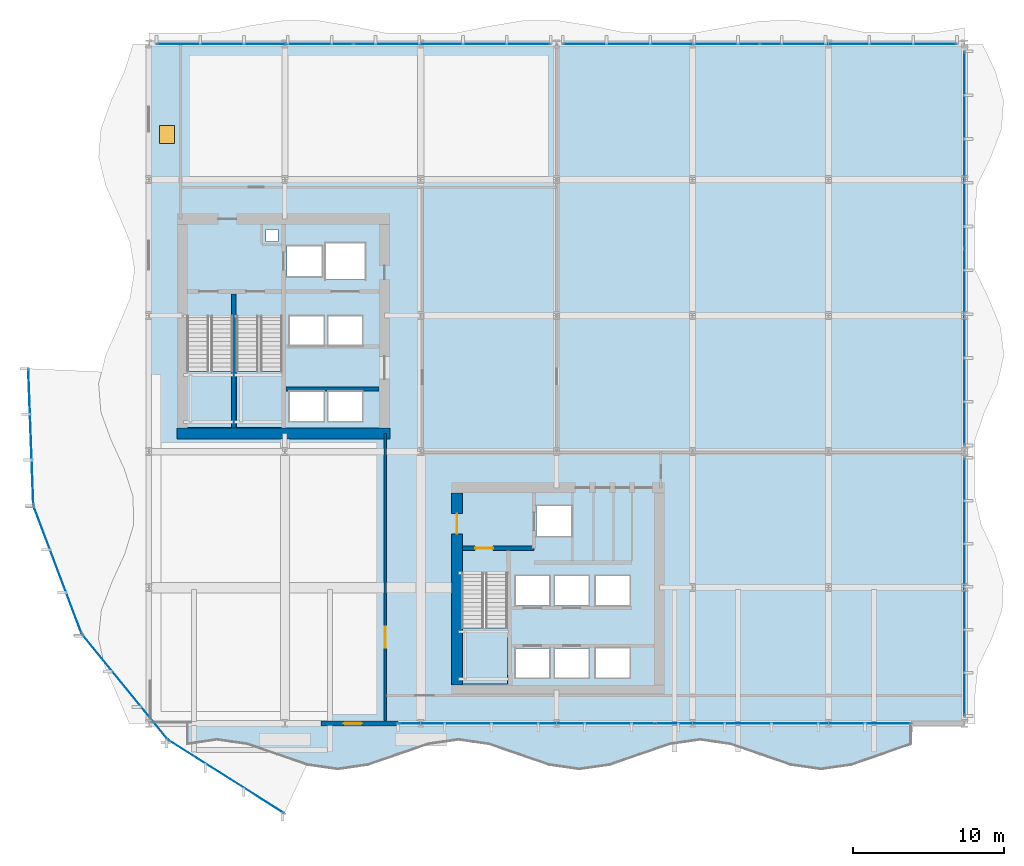
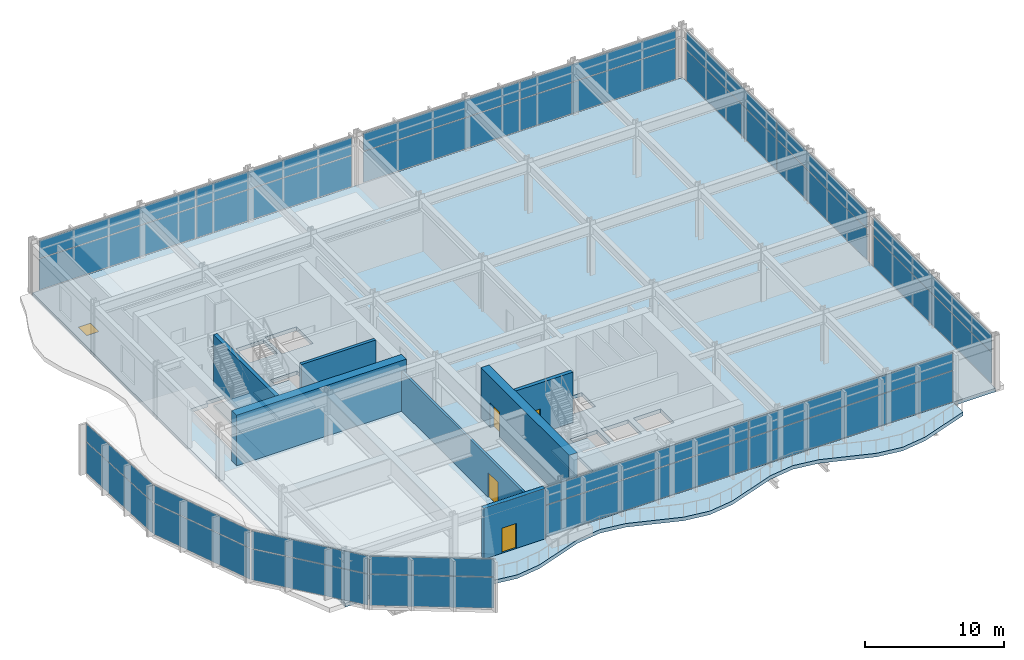
# One storey, part 21 of 31: 26 plates, 7 walls, 5 doors, 5 slabs, 5 openings, 12 elements without a shape of their own.
"""IFC4 building model written with IfcOpenShell, lengths in metres."""

from ifc_helpers import new_model, si_unit, direction, frame, frame_2d, origin, origin_2d, place, context, subcontext, project, spatial, polyline, rectangle, outline, extrude, material, layer, layer_set, type_object, element, fill, aggregate, save


model = new_model("IFC4")

# Units and contexts
model_context = context("Model", 3, precision=1e-05, world=origin(), true_north=direction((0.0, 1.0)))
body_context = subcontext(model_context, "Body", "Model", "MODEL_VIEW")
ifc_project = project(units=[si_unit("LENGTHUNIT", "METRE"), si_unit("AREAUNIT", "SQUARE_METRE"), si_unit("VOLUMEUNIT", "CUBIC_METRE"), si_unit("PLANEANGLEUNIT", "RADIAN"), si_unit("MASSUNIT", "GRAM", prefix="KILO")], contexts=[model_context])

# Site, building, storey
site_placement = place(None, origin())
site = spatial("IfcSite", under=ifc_project, at=site_placement, CompositionType="ELEMENT")
building_placement = place(site_placement, origin())
building = spatial("IfcBuilding", under=site, at=building_placement, Name="Solvaryn Broadcast Tower", CompositionType="ELEMENT")
storey_placement = place(building_placement, frame((0.0, 0.0, 26.0)))
storey = spatial("IfcBuildingStorey", under=building, at=storey_placement, Name="L05", CompositionType="ELEMENT", Elevation=26.0)

# Curtain wall, plates
ifc_material_1 = material(Name="Aluminium and Terracotta Unitised Curtain Wall", Category="masonry")
ifc_layer_1 = layer(ifc_material_1, 0.219970703125)
ifc_layer_set_1 = layer_set([ifc_layer_1], Name="CW-SYS1-PODIUM")
curtain_wall_type = type_object("IfcCurtainWallType", Name="CW-SYS1-PODIUM", PredefinedType="NOTDEFINED", material=ifc_layer_set_1)
curtain_wall_1_placement = place(storey_placement, origin())
curtain_wall_1 = element("IfcCurtainWall", 1, at=curtain_wall_1_placement, inside=storey, type_object=curtain_wall_type, Name="L05 Podium Curtain Wall S1", PredefinedType="NOTDEFINED")
ifc_material_2 = material(Name="Low-Iron Insulated Vision Glass", Category="glass")
ifc_layer_2 = layer(ifc_material_2, 0.035888671875)
ifc_layer_set_2 = layer_set([ifc_layer_2], Name="CW-PNL-VISION")
plate_type = type_object("IfcPlateType", Name="CW-PNL-VISION", PredefinedType="CURTAIN_PANEL", material=ifc_layer_set_2)
plate_1_placement = place(storey_placement, frame((50.985107421875, 9.0, 0.06005859375), z_axis=(0.0, 0.0, 1.0), x_axis=(-1.0, 0.0, 0.0)))
plate_1 = element("IfcPlate", 2, at=plate_1_placement, type_object=plate_type, Name="CWS1 panel 1.1", PredefinedType="CURTAIN_PANEL", context=body_context, shape_type="SweptSolid", body=[
    extrude(rectangle(XDim=16.909912109375, YDim=0.028076171875, at=origin_2d()), origin(), (0.0, 0.0, 1.0), 2.7099609375),
])
plate_2_placement = place(storey_placement, frame((50.985107421875, 9.0, 2.830078125), z_axis=(0.0, 0.0, 1.0), x_axis=(-1.0, 0.0, 0.0)))
plate_2 = element("IfcPlate", 3, at=plate_2_placement, type_object=plate_type, Name="CWS1 panel 1.2", PredefinedType="CURTAIN_PANEL", context=body_context, shape_type="SweptSolid", body=[
    extrude(rectangle(XDim=16.909912109375, YDim=0.028076171875, at=origin_2d()), origin(), (0.0, 0.0, 1.0), 1.550048828125),
])
plate_3_placement = place(storey_placement, frame((34.014892578125, 9.0, 0.06005859375), z_axis=(0.0, 0.0, 1.0), x_axis=(-1.0, 0.0, 0.0)))
plate_3 = element("IfcPlate", 4, at=plate_3_placement, type_object=plate_type, Name="CWS1 panel 2.1", PredefinedType="CURTAIN_PANEL", context=body_context, shape_type="SweptSolid", body=[
    extrude(rectangle(XDim=16.909912109375, YDim=0.028076171875, at=origin_2d()), origin(), (0.0, 0.0, 1.0), 2.7099609375),
])
plate_4_placement = place(storey_placement, frame((34.014892578125, 9.0, 2.830078125), z_axis=(0.0, 0.0, 1.0), x_axis=(-1.0, 0.0, 0.0)))
plate_4 = element("IfcPlate", 5, at=plate_4_placement, type_object=plate_type, Name="CWS1 panel 2.2", PredefinedType="CURTAIN_PANEL", context=body_context, shape_type="SweptSolid", body=[
    extrude(rectangle(XDim=16.909912109375, YDim=0.028076171875, at=origin_2d()), origin(), (0.0, 0.0, 1.0), 1.550048828125),
])
aggregate(curtain_wall_1, [plate_1, plate_2, plate_3, plate_4])

curtain_wall_2_placement = place(storey_placement, origin())
curtain_wall_2 = element("IfcCurtainWall", 6, at=curtain_wall_2_placement, inside=storey, type_object=curtain_wall_type, Name="L05 Podium Curtain Wall N1", PredefinedType="NOTDEFINED")
plate_5_placement = place(storey_placement, frame((16.0400390625, 54.0, 0.06005859375), z_axis=(0.0, 0.0, 1.0), x_axis=(1.0, 0.0, 0.0)))
plate_5 = element("IfcPlate", 7, at=plate_5_placement, type_object=plate_type, Name="CWS1 panel 1.1", PredefinedType="CURTAIN_PANEL", context=body_context, shape_type="SweptSolid", body=[
    extrude(rectangle(XDim=12.9599609375, YDim=0.028076171875, at=origin_2d()), origin(), (0.0, 0.0, 1.0), 2.7099609375),
])
plate_6_placement = place(storey_placement, frame((16.0400390625, 54.0, 2.830078125), z_axis=(0.0, 0.0, 1.0), x_axis=(1.0, 0.0, 0.0)))
plate_6 = element("IfcPlate", 8, at=plate_6_placement, type_object=plate_type, Name="CWS1 panel 1.2", PredefinedType="CURTAIN_PANEL", context=body_context, shape_type="SweptSolid", body=[
    extrude(rectangle(XDim=12.9599609375, YDim=0.028076171875, at=origin_2d()), origin(), (0.0, 0.0, 1.0), 1.550048828125),
])
plate_7_placement = place(storey_placement, frame((29.06005859375, 54.0, 0.06005859375), z_axis=(0.0, 0.0, 1.0), x_axis=(1.0, 0.0, 0.0)))
plate_7 = element("IfcPlate", 9, at=plate_7_placement, type_object=plate_type, Name="CWS1 panel 2.1", PredefinedType="CURTAIN_PANEL", context=body_context, shape_type="SweptSolid", body=[
    extrude(rectangle(XDim=12.9599609375, YDim=0.028076171875, at=origin_2d()), origin(), (0.0, 0.0, 1.0), 2.7099609375),
])
plate_8_placement = place(storey_placement, frame((29.06005859375, 54.0, 2.830078125), z_axis=(0.0, 0.0, 1.0), x_axis=(1.0, 0.0, 0.0)))
plate_8 = element("IfcPlate", 10, at=plate_8_placement, type_object=plate_type, Name="CWS1 panel 2.2", PredefinedType="CURTAIN_PANEL", context=body_context, shape_type="SweptSolid", body=[
    extrude(rectangle(XDim=12.9599609375, YDim=0.028076171875, at=origin_2d()), origin(), (0.0, 0.0, 1.0), 1.550048828125),
])
aggregate(curtain_wall_2, [plate_5, plate_6, plate_7, plate_8])

curtain_wall_3_placement = place(storey_placement, origin())
curtain_wall_3 = element("IfcCurtainWall", 11, at=curtain_wall_3_placement, inside=storey, type_object=curtain_wall_type, Name="L05 Podium Curtain Wall N2", PredefinedType="NOTDEFINED")
plate_9_placement = place(storey_placement, frame((42.93994140625, 54.0, 0.06005859375), z_axis=(0.0, 0.0, 1.0), x_axis=(1.0, 0.0, 0.0)))
plate_9 = element("IfcPlate", 12, at=plate_9_placement, type_object=plate_type, Name="CWS1 panel 1.1", PredefinedType="CURTAIN_PANEL", context=body_context, shape_type="SweptSolid", body=[
    extrude(rectangle(XDim=12.9599609375, YDim=0.028076171875, at=origin_2d()), origin(), (0.0, 0.0, 1.0), 2.7099609375),
])
plate_10_placement = place(storey_placement, frame((42.93994140625, 54.0, 2.830078125), z_axis=(0.0, 0.0, 1.0), x_axis=(1.0, 0.0, 0.0)))
plate_10 = element("IfcPlate", 13, at=plate_10_placement, type_object=plate_type, Name="CWS1 panel 1.2", PredefinedType="CURTAIN_PANEL", context=body_context, shape_type="SweptSolid", body=[
    extrude(rectangle(XDim=12.9599609375, YDim=0.028076171875, at=origin_2d()), origin(), (0.0, 0.0, 1.0), 1.550048828125),
])
plate_11_placement = place(storey_placement, frame((55.9599609375, 54.0, 0.06005859375), z_axis=(0.0, 0.0, 1.0), x_axis=(1.0, 0.0, 0.0)))
plate_11 = element("IfcPlate", 14, at=plate_11_placement, type_object=plate_type, Name="CWS1 panel 2.1", PredefinedType="CURTAIN_PANEL", context=body_context, shape_type="SweptSolid", body=[
    extrude(rectangle(XDim=12.9599609375, YDim=0.028076171875, at=origin_2d()), origin(), (0.0, 0.0, 1.0), 2.7099609375),
])
plate_12_placement = place(storey_placement, frame((55.9599609375, 54.0, 2.830078125), z_axis=(0.0, 0.0, 1.0), x_axis=(1.0, 0.0, 0.0)))
plate_12 = element("IfcPlate", 15, at=plate_12_placement, type_object=plate_type, Name="CWS1 panel 2.2", PredefinedType="CURTAIN_PANEL", context=body_context, shape_type="SweptSolid", body=[
    extrude(rectangle(XDim=12.9599609375, YDim=0.028076171875, at=origin_2d()), origin(), (0.0, 0.0, 1.0), 1.550048828125),
])
aggregate(curtain_wall_3, [plate_9, plate_10, plate_11, plate_12])

curtain_wall_4_placement = place(storey_placement, origin())
curtain_wall_4 = element("IfcCurtainWall", 16, at=curtain_wall_4_placement, inside=storey, type_object=curtain_wall_type, Name="L05 Podium Curtain Wall E1", PredefinedType="NOTDEFINED")
plate_13_placement = place(storey_placement, frame((63.0, 46.9599609375, 0.06005859375), z_axis=(0.0, 0.0, 1.0), x_axis=(0.0, -1.0, 0.0)))
plate_13 = element("IfcPlate", 17, at=plate_13_placement, type_object=plate_type, Name="CWS1 panel 1.1", PredefinedType="CURTAIN_PANEL", context=body_context, shape_type="SweptSolid", body=[
    extrude(rectangle(XDim=12.9599609375, YDim=0.028076171875, at=origin_2d()), origin(), (0.0, 0.0, 1.0), 2.7099609375),
])
plate_14_placement = place(storey_placement, frame((63.0, 46.9599609375, 2.830078125), z_axis=(0.0, 0.0, 1.0), x_axis=(0.0, -1.0, 0.0)))
plate_14 = element("IfcPlate", 18, at=plate_14_placement, type_object=plate_type, Name="CWS1 panel 1.2", PredefinedType="CURTAIN_PANEL", context=body_context, shape_type="SweptSolid", body=[
    extrude(rectangle(XDim=12.9599609375, YDim=0.028076171875, at=origin_2d()), origin(), (0.0, 0.0, 1.0), 1.550048828125),
])
plate_15_placement = place(storey_placement, frame((63.0, 33.93994140625, 0.06005859375), z_axis=(0.0, 0.0, 1.0), x_axis=(0.0, -1.0, 0.0)))
plate_15 = element("IfcPlate", 19, at=plate_15_placement, type_object=plate_type, Name="CWS1 panel 2.1", PredefinedType="CURTAIN_PANEL", context=body_context, shape_type="SweptSolid", body=[
    extrude(rectangle(XDim=12.9599609375, YDim=0.028076171875, at=origin_2d()), origin(), (0.0, 0.0, 1.0), 2.7099609375),
])
plate_16_placement = place(storey_placement, frame((63.0, 33.93994140625, 2.830078125), z_axis=(0.0, 0.0, 1.0), x_axis=(0.0, -1.0, 0.0)))
plate_16 = element("IfcPlate", 20, at=plate_16_placement, type_object=plate_type, Name="CWS1 panel 2.2", PredefinedType="CURTAIN_PANEL", context=body_context, shape_type="SweptSolid", body=[
    extrude(rectangle(XDim=12.9599609375, YDim=0.028076171875, at=origin_2d()), origin(), (0.0, 0.0, 1.0), 1.550048828125),
])
aggregate(curtain_wall_4, [plate_13, plate_14, plate_15, plate_16])

curtain_wall_5_placement = place(storey_placement, origin())
curtain_wall_5 = element("IfcCurtainWall", 21, at=curtain_wall_5_placement, inside=storey, type_object=curtain_wall_type, Name="L05 Podium Curtain Wall E2", PredefinedType="NOTDEFINED")
plate_17_placement = place(storey_placement, frame((63.0, 18.050048828125, 0.06005859375), z_axis=(0.0, 0.0, 1.0), x_axis=(0.0, -1.0, 0.0)))
plate_17 = element("IfcPlate", 22, at=plate_17_placement, type_object=plate_type, Name="CWS1 panel 1.1", PredefinedType="CURTAIN_PANEL", context=body_context, shape_type="SweptSolid", body=[
    extrude(rectangle(XDim=16.97998046875, YDim=0.028076171875, at=origin_2d()), origin(), (0.0, 0.0, 1.0), 2.7099609375),
])
plate_18_placement = place(storey_placement, frame((63.0, 18.050048828125, 2.830078125), z_axis=(0.0, 0.0, 1.0), x_axis=(0.0, -1.0, 0.0)))
plate_18 = element("IfcPlate", 23, at=plate_18_placement, type_object=plate_type, Name="CWS1 panel 1.2", PredefinedType="CURTAIN_PANEL", context=body_context, shape_type="SweptSolid", body=[
    extrude(rectangle(XDim=16.97998046875, YDim=0.028076171875, at=origin_2d()), origin(), (0.0, 0.0, 1.0), 1.550048828125),
])
aggregate(curtain_wall_5, [plate_17, plate_18])

curtain_wall_6_placement = place(storey_placement, origin())
curtain_wall_6 = element("IfcCurtainWall", 24, at=curtain_wall_6_placement, inside=storey, type_object=curtain_wall_type, Name="L05 Podium Curtain Wall DC1", PredefinedType="NOTDEFINED")
plate_19_placement = place(storey_placement, frame((1.18701171875, 27.9619140625, 0.06005859375), z_axis=(0.0, 0.0, 1.0), x_axis=(0.037231663524, -0.999306661256, 0.0)))
plate_19 = element("IfcPlate", 25, at=plate_19_placement, type_object=plate_type, Name="CWS1 panel 1.1", PredefinedType="CURTAIN_PANEL", context=body_context, shape_type="SweptSolid", body=[
    extrude(rectangle(XDim=8.958251953125, YDim=0.028076171875, at=origin_2d()), origin(), (0.0, 0.0, 1.0), 2.7099609375),
])
plate_20_placement = place(storey_placement, frame((1.18701171875, 27.9619140625, 2.830078125), z_axis=(0.0, 0.0, 1.0), x_axis=(0.037231663524, -0.999306661256, 0.0)))
plate_20 = element("IfcPlate", 26, at=plate_20_placement, type_object=plate_type, Name="CWS1 panel 1.2", PredefinedType="CURTAIN_PANEL", context=body_context, shape_type="SweptSolid", body=[
    extrude(rectangle(XDim=8.958251953125, YDim=0.028076171875, at=origin_2d()), origin(), (0.0, 0.0, 1.0), 1.550048828125),
])
aggregate(curtain_wall_6, [plate_19, plate_20])

curtain_wall_7_placement = place(storey_placement, origin())
curtain_wall_7 = element("IfcCurtainWall", 27, at=curtain_wall_7_placement, inside=storey, type_object=curtain_wall_type, Name="L05 Podium Curtain Wall DC2", PredefinedType="NOTDEFINED")
plate_21_placement = place(storey_placement, frame((2.9580078125, 19.178955078125, 0.06005859375), z_axis=(0.0, 0.0, 1.0), x_axis=(0.352933536301, -0.93564839494, 0.0)))
plate_21 = element("IfcPlate", 28, at=plate_21_placement, type_object=plate_type, Name="CWS1 panel 1.1", PredefinedType="CURTAIN_PANEL", context=body_context, shape_type="SweptSolid", body=[
    extrude(rectangle(XDim=8.958251953125, YDim=0.028076171875, at=origin_2d()), origin(), (0.0, 0.0, 1.0), 2.7099609375),
])
plate_22_placement = place(storey_placement, frame((2.9580078125, 19.178955078125, 2.830078125), z_axis=(0.0, 0.0, 1.0), x_axis=(0.352933536301, -0.93564839494, 0.0)))
plate_22 = element("IfcPlate", 29, at=plate_22_placement, type_object=plate_type, Name="CWS1 panel 1.2", PredefinedType="CURTAIN_PANEL", context=body_context, shape_type="SweptSolid", body=[
    extrude(rectangle(XDim=8.958251953125, YDim=0.028076171875, at=origin_2d()), origin(), (0.0, 0.0, 1.0), 1.550048828125),
])
aggregate(curtain_wall_7, [plate_21, plate_22])

curtain_wall_8_placement = place(storey_placement, origin())
curtain_wall_8 = element("IfcCurtainWall", 30, at=curtain_wall_8_placement, inside=storey, type_object=curtain_wall_type, Name="L05 Podium Curtain Wall DC3", PredefinedType="NOTDEFINED")
plate_23_placement = place(storey_placement, frame((7.427978515625, 11.4140625, 0.06005859375), z_axis=(0.0, 0.0, 1.0), x_axis=(0.631869091156, -0.77507512645, 0.0)))
plate_23 = element("IfcPlate", 31, at=plate_23_placement, type_object=plate_type, Name="CWS1 panel 1.1", PredefinedType="CURTAIN_PANEL", context=body_context, shape_type="SweptSolid", body=[
    extrude(rectangle(XDim=8.957763671875, YDim=0.028076171875, at=origin_2d()), origin(), (0.0, 0.0, 1.0), 2.7099609375),
])
plate_24_placement = place(storey_placement, frame((7.427978515625, 11.4140625, 2.830078125), z_axis=(0.0, 0.0, 1.0), x_axis=(0.631869091156, -0.77507512645, 0.0)))
plate_24 = element("IfcPlate", 32, at=plate_24_placement, type_object=plate_type, Name="CWS1 panel 1.2", PredefinedType="CURTAIN_PANEL", context=body_context, shape_type="SweptSolid", body=[
    extrude(rectangle(XDim=8.957763671875, YDim=0.028076171875, at=origin_2d()), origin(), (0.0, 0.0, 1.0), 1.550048828125),
])
aggregate(curtain_wall_8, [plate_23, plate_24])

curtain_wall_9_placement = place(storey_placement, origin())
curtain_wall_9 = element("IfcCurtainWall", 33, at=curtain_wall_9_placement, inside=storey, type_object=curtain_wall_type, Name="L05 Podium Curtain Wall DC4", PredefinedType="NOTDEFINED")
plate_25_placement = place(storey_placement, frame((14.133056640625, 5.471435546875, 0.06005859375), z_axis=(0.0, 0.0, 1.0), x_axis=(0.845376323595, -0.534171200558, 0.0)))
plate_25 = element("IfcPlate", 34, at=plate_25_placement, type_object=plate_type, Name="CWS1 panel 1.1", PredefinedType="CURTAIN_PANEL", context=body_context, shape_type="SweptSolid", body=[
    extrude(rectangle(XDim=8.95751953125, YDim=0.028076171875, at=origin_2d()), origin(), (0.0, 0.0, 1.0), 2.7099609375),
])
plate_26_placement = place(storey_placement, frame((14.133056640625, 5.471435546875, 2.830078125), z_axis=(0.0, 0.0, 1.0), x_axis=(0.845376323595, -0.534171200558, 0.0)))
plate_26 = element("IfcPlate", 35, at=plate_26_placement, type_object=plate_type, Name="CWS1 panel 1.2", PredefinedType="CURTAIN_PANEL", context=body_context, shape_type="SweptSolid", body=[
    extrude(rectangle(XDim=8.95751953125, YDim=0.028076171875, at=origin_2d()), origin(), (0.0, 0.0, 1.0), 1.550048828125),
])
aggregate(curtain_wall_9, [plate_25, plate_26])

# Stair, slab
ifc_material_3 = material(Name="Concrete f'c 60 MPa", Category="concrete")
stair_type = type_object("IfcStairType", Name="ST-CORE", PredefinedType="HALF_TURN_STAIR", material=ifc_material_3)
stair_1_placement = place(storey_placement, origin())
stair_1 = element("IfcStair", 36, at=stair_1_placement, inside=storey, type_object=stair_type, Name="L05 ST1", PredefinedType="HALF_TURN_STAIR")
ifc_material_4 = material(Name="Concrete f'c 60 MPa", Category="concrete")
ifc_layer_3 = layer(ifc_material_4, 0.199951171875)
ifc_layer_set_3 = layer_set([ifc_layer_3], Name="SL-LANDING-200")
slab_type_1 = type_object("IfcSlabType", Name="SL-LANDING-200", PredefinedType="LANDING", material=ifc_layer_set_3)
slab_1_placement = place(storey_placement, frame((0.0, 0.0, 2.199951171875)))
slab_1 = element("IfcSlab", 37, at=slab_1_placement, type_object=slab_type_1, Name="ST1 landing 1", PredefinedType="LANDING", context=body_context, shape_type="SweptSolid", body=[
    extrude(outline(polyline([(11.52001953125, 32.320068359375), (11.52001953125, 28.60009765625), (14.550048828125, 28.60009765625), (14.550048828125, 32.320068359375), (11.52001953125, 32.320068359375)])), origin(), (0.0, 0.0, 1.0), 0.199951171875),
])
aggregate(stair_1, [slab_1])

stair_2_placement = place(storey_placement, origin())
stair_2 = element("IfcStair", 38, at=stair_2_placement, inside=storey, type_object=stair_type, Name="L05 ST2", PredefinedType="HALF_TURN_STAIR")
slab_2_placement = place(storey_placement, frame((0.0, 0.0, 2.199951171875)))
slab_2 = element("IfcSlab", 39, at=slab_2_placement, type_object=slab_type_1, Name="ST2 landing 1", PredefinedType="LANDING", context=body_context, shape_type="SweptSolid", body=[
    extrude(outline(polyline([(14.800048828125, 32.320068359375), (14.800048828125, 28.60009765625), (17.830078125, 28.60009765625), (17.830078125, 32.320068359375), (14.800048828125, 32.320068359375)])), origin(), (0.0, 0.0, 1.0), 0.199951171875),
])
aggregate(stair_2, [slab_2])

stair_3_placement = place(storey_placement, origin())
stair_3 = element("IfcStair", 40, at=stair_3_placement, inside=storey, type_object=stair_type, Name="L05 ST3", PredefinedType="HALF_TURN_STAIR")
slab_3_placement = place(storey_placement, frame((0.0, 0.0, 2.199951171875)))
slab_3 = element("IfcSlab", 41, at=slab_3_placement, type_object=slab_type_1, Name="ST3 landing 1", PredefinedType="LANDING", context=body_context, shape_type="SweptSolid", body=[
    extrude(outline(polyline([(29.719970703125, 15.320068359375), (29.719970703125, 11.60009765625), (32.75, 11.60009765625), (32.75, 15.320068359375), (29.719970703125, 15.320068359375)])), origin(), (0.0, 0.0, 1.0), 0.199951171875),
])
aggregate(stair_3, [slab_3])

# Slab, opening, door
ifc_material_5 = material(Name="Concrete f'c 60 MPa", Category="concrete")
ifc_layer_4 = layer(ifc_material_5, 0.320068359375)
ifc_layer_set_4 = layer_set([ifc_layer_4], Name="SL-POD-320")
slab_type_2 = type_object("IfcSlabType", Name="SL-POD-320", PredefinedType="FLOOR", material=ifc_layer_set_4)
slab_4_placement = place(storey_placement, frame((0.0, 0.0, -0.320068359375)))
slab_4 = element("IfcSlab", 42, at=slab_4_placement, inside=storey, type_object=slab_type_2, Name="L05 Structural Floor Slab", PredefinedType="FLOOR", context=body_context, shape_type="SweptSolid", body=[
    extrude(outline(polyline([(9.0, 9.0), (63.0, 9.0), (63.0, 54.0), (9.0, 54.0), (9.0, 9.0)]), holes=[polyline([(11.52001953125, 28.60009765625), (14.550048828125, 28.60009765625), (14.550048828125, 35.9599609375), (12.97998046875, 35.9599609375), (12.97998046875, 35.679931640625), (11.52001953125, 35.679931640625), (11.52001953125, 28.60009765625)]), polyline([(14.800048828125, 28.60009765625), (17.830078125, 28.60009765625), (17.830078125, 35.9599609375), (16.260009765625, 35.9599609375), (16.260009765625, 35.679931640625), (14.800048828125, 35.679931640625), (14.800048828125, 28.60009765625)]), polyline([(29.719970703125, 11.60009765625), (32.75, 11.60009765625), (32.75, 18.9599609375), (31.179931640625, 18.9599609375), (31.179931640625, 18.679931640625), (29.719970703125, 18.679931640625), (29.719970703125, 11.60009765625)]), polyline([(18.14990234375, 38.60009765625), (20.449951171875, 38.60009765625), (20.449951171875, 40.60009765625), (18.14990234375, 40.60009765625), (18.14990234375, 38.60009765625)]), polyline([(20.699951171875, 38.39990234375), (23.300048828125, 38.39990234375), (23.300048828125, 40.800048828125), (20.699951171875, 40.800048828125), (20.699951171875, 38.39990234375)]), polyline([(18.324951171875, 29.02490234375), (20.574951171875, 29.02490234375), (20.574951171875, 30.97509765625), (18.324951171875, 30.97509765625), (18.324951171875, 29.02490234375)]), polyline([(20.875, 29.02490234375), (23.125, 29.02490234375), (23.125, 30.97509765625), (20.875, 30.97509765625), (20.875, 29.02490234375)]), polyline([(18.324951171875, 34.02490234375), (20.574951171875, 34.02490234375), (20.574951171875, 35.97509765625), (18.324951171875, 35.97509765625), (18.324951171875, 34.02490234375)]), polyline([(20.875, 34.02490234375), (23.125, 34.02490234375), (23.125, 35.97509765625), (20.875, 35.97509765625), (20.875, 34.02490234375)]), polyline([(34.64990234375, 21.39990234375), (36.949951171875, 21.39990234375), (36.949951171875, 23.39990234375), (34.64990234375, 23.39990234375), (34.64990234375, 21.39990234375)]), polyline([(33.27490234375, 12.02490234375), (35.52490234375, 12.02490234375), (35.52490234375, 13.97509765625), (33.27490234375, 13.97509765625), (33.27490234375, 12.02490234375)]), polyline([(35.875, 12.02490234375), (38.125, 12.02490234375), (38.125, 13.97509765625), (35.875, 13.97509765625), (35.875, 12.02490234375)]), polyline([(33.27490234375, 16.824951171875), (35.52490234375, 16.824951171875), (35.52490234375, 18.77490234375), (33.27490234375, 18.77490234375), (33.27490234375, 16.824951171875)]), polyline([(35.875, 16.824951171875), (38.125, 16.824951171875), (38.125, 18.77490234375), (35.875, 18.77490234375), (35.875, 16.824951171875)]), polyline([(38.574951171875, 12.02490234375), (40.824951171875, 12.02490234375), (40.824951171875, 13.97509765625), (38.574951171875, 13.97509765625), (38.574951171875, 12.02490234375)]), polyline([(38.574951171875, 16.824951171875), (40.824951171875, 16.824951171875), (40.824951171875, 18.77490234375), (38.574951171875, 18.77490234375), (38.574951171875, 16.824951171875)]), polyline([(16.75, 40.89990234375), (17.550048828125, 40.89990234375), (17.550048828125, 41.699951171875), (16.75, 41.699951171875), (16.75, 40.89990234375)])]), origin(), (0.0, 0.0, 1.0), 0.320068359375),
])
opening_1_placement = place(slab_4_placement, frame((10.199951171875, 48.0, 0.0)))
opening_1 = element("IfcOpeningElement", 43, at=opening_1_placement, cuts=slab_4, Name="Opening HT01", PredefinedType="OPENING", context=body_context, shape_type="SweptSolid", body=[
    extrude(rectangle(XDim=1.0, YDim=1.199951171875, at=origin_2d()), origin(), (0.0, 0.0, 1.0), 0.320068359375),
])
ifc_material_6 = material(Name="Insulated Architectural Aluminium and Glazing", Category="aluminium")
door_type_1 = type_object("IfcDoorType", Name="ED-HATCH-1000X1200", OperationType="NOTDEFINED", PredefinedType="TRAPDOOR", material=ifc_material_6)
door_1_placement = place(opening_1_placement, frame((0.0, 0.0, 0.27001953125)))
door_1 = element("IfcDoor", 44, at=door_1_placement, inside=storey, type_object=door_type_1, Name="L05 Acoustic Plenum Access Trapdoor", OperationType="SINGLE_SWING_LEFT", OverallHeight=1.199951171875, OverallWidth=1.0, PredefinedType="TRAPDOOR", context=body_context, shape_type="SweptSolid", body=[
    extrude(rectangle(XDim=1.0, YDim=1.199951171875, at=origin_2d()), origin(), (0.0, 0.0, 1.0), 0.050048828125),
])
fill(opening_1, door_1)

# Slab
ifc_material_7 = material(Name="Concrete f'c 60 MPa", Category="concrete")
ifc_layer_5 = layer(ifc_material_7, 0.260009765625)
ifc_layer_set_5 = layer_set([ifc_layer_5], Name="SL-TER-260")
slab_type_3 = type_object("IfcSlabType", Name="SL-TER-260", PredefinedType="FLOOR", material=ifc_layer_set_5)
slab_5_placement = place(storey_placement, frame((0.0, 0.0, -0.320068359375)))
element("IfcSlab", 45, at=slab_5_placement, inside=storey, type_object=slab_type_3, Name="L05 Wave-Edged Terrace Slab TS05S", PredefinedType="FLOOR", context=body_context, shape_type="SweptSolid", body=[
    extrude(outline(polyline([(11.5, 7.589111328125), (13.5, 7.875), (15.5, 7.589111328125), (17.5, 6.89990234375), (19.5, 6.2109375), (21.5, 5.925048828125), (23.5, 6.2109375), (25.5, 6.89990234375), (27.5, 7.589111328125), (29.5, 7.875), (31.5, 7.589111328125), (33.5, 6.89990234375), (35.5, 6.2109375), (37.5, 5.925048828125), (39.5, 6.2109375), (41.5, 6.89990234375), (43.5, 7.589111328125), (45.5, 7.875), (47.5, 7.589111328125), (49.5, 6.89990234375), (51.5, 6.2109375), (53.5, 5.925048828125), (55.5, 6.2109375), (57.5, 6.89990234375), (59.5, 7.589111328125), (59.5, 9.0), (57.5, 9.0), (55.5, 9.0), (53.5, 9.0), (51.5, 9.0), (49.5, 9.0), (47.5, 9.0), (45.5, 9.0), (43.5, 9.0), (41.5, 9.0), (39.5, 9.0), (37.5, 9.0), (35.5, 9.0), (33.5, 9.0), (31.5, 9.0), (29.5, 9.0), (27.5, 9.0), (25.5, 9.0), (23.5, 9.0), (21.5, 9.0), (19.5, 9.0), (17.5, 9.0), (15.5, 9.0), (13.5, 9.0), (11.5, 9.0), (11.5, 7.589111328125)])), origin(), (0.0, 0.0, 1.0), 0.320068359375),
])

# Wall
ifc_material_8 = material(Name="Concrete f'c 70 MPa", Category="concrete")
ifc_layer_6 = layer(ifc_material_8, 0.699951171875)
ifc_layer_set_6 = layer_set([ifc_layer_6], Name="CW-SHEAR-700")
wall_type_1 = type_object("IfcWallType", Name="CW-SHEAR-700", PredefinedType="SHEAR", material=ifc_layer_set_6)
wall_1_placement = place(storey_placement, frame((10.85009765625, 28.199951171875, 0.0), z_axis=(0.0, 0.0, 1.0), x_axis=(1.0, 0.0, 0.0)))
element("IfcWall", 46, at=wall_1_placement, inside=storey, type_object=wall_type_1, Name="L05 West Core South Shear Wall", PredefinedType="SHEAR", context=body_context, shape_type="SweptSolid", body=[
    extrude(rectangle(XDim=14.099853515625, YDim=0.699951171875, at=frame_2d((7.0498046875, 0.0))), origin(), (0.0, 0.0, 1.0), 4.43994140625),
])

# Wall, opening, door
wall_2_placement = place(storey_placement, frame((29.39990234375, 24.25, 0.0), z_axis=(0.0, 0.0, 1.0), x_axis=(0.0, -1.0, 0.0)))
wall_2 = element("IfcWall", 47, at=wall_2_placement, inside=storey, type_object=wall_type_1, Name="L05 East Core West Shear Wall", PredefinedType="SHEAR", context=body_context, shape_type="SweptSolid", body=[
    extrude(rectangle(XDim=12.699951171875, YDim=0.699951171875, at=frame_2d((6.35009765625, 0.0))), origin(), (0.0, 0.0, 1.0), 4.43994140625),
])
opening_2_placement = place(wall_2_placement, frame((1.35009765625, 0.0, 0.0)))
opening_2 = element("IfcOpeningElement", 48, at=opening_2_placement, cuts=wall_2, Name="Opening FD90B", PredefinedType="OPENING", context=body_context, shape_type="SweptSolid", body=[
    extrude(rectangle(XDim=1.35009765625, YDim=2.14990234375, at=frame_2d((0.675048828125, 1.074951171875))), frame((0.0, 0.360107421875, 0.0), z_axis=(0.0, -1.0, 0.0), x_axis=(1.0, 0.0, 0.0)), (0.0, 0.0, 1.0), 0.719970703125),
])
ifc_material_9 = material(Name="Flush Acoustic Steel and Timber Door Assembly", Category="steel")
door_type_2 = type_object("IfcDoorType", Name="FD90-LOBBY-1350X2150", OperationType="NOTDEFINED", PredefinedType="DOOR", material=ifc_material_9)
door_2_placement = place(opening_2_placement, origin())
door_2 = element("IfcDoor", 49, at=door_2_placement, inside=storey, type_object=door_type_2, Name="L05 East FSAE Lobby Door", OperationType="SINGLE_SWING_RIGHT", OverallHeight=2.14990234375, OverallWidth=1.35009765625, PredefinedType="DOOR", context=body_context, shape_type="SweptSolid", body=[
    extrude(rectangle(XDim=1.35009765625, YDim=2.14990234375, at=frame_2d((0.675048828125, 1.074951171875))), frame((0.0, 0.02490234375, 0.0), z_axis=(0.0, -1.0, 0.0), x_axis=(1.0, 0.0, 0.0)), (0.0, 0.0, 1.0), 0.050048828125),
])
fill(opening_2, door_2)

ifc_material_10 = material(Name="Concrete f'c 50 MPa", Category="concrete")
ifc_layer_7 = layer(ifc_material_10, 0.35009765625)
ifc_layer_set_7 = layer_set([ifc_layer_7], Name="EW-STUDIO-350")
wall_type_2 = type_object("IfcWallType", Name="EW-STUDIO-350", PredefinedType="SOLIDWALL", material=ifc_layer_set_7)
wall_3_placement = place(storey_placement, frame((25.5, 9.0, 0.0), z_axis=(0.0, 0.0, 1.0), x_axis=(-1.0, 0.0, 0.0)))
wall_3 = element("IfcWall", 50, at=wall_3_placement, inside=storey, type_object=wall_type_2, Name="L05 Podium South Studio Pier Wall", PredefinedType="SOLIDWALL", context=body_context, shape_type="SweptSolid", body=[
    extrude(rectangle(XDim=5.10009765625, YDim=0.35009765625, at=frame_2d((2.550048828125, 0.0))), origin(), (0.0, 0.0, 1.0), 4.43994140625),
])
opening_3_placement = place(wall_3_placement, frame((2.39990234375, 0.0, 0.0)))
opening_3 = element("IfcOpeningElement", 51, at=opening_3_placement, cuts=wall_3, Name="Opening EDT05", PredefinedType="OPENING", context=body_context, shape_type="SweptSolid", body=[
    extrude(rectangle(XDim=1.199951171875, YDim=2.199951171875, at=frame_2d((0.60009765625, 1.10009765625))), frame((0.0, 0.18505859375, 0.0), z_axis=(0.0, -1.0, 0.0), x_axis=(1.0, 0.0, 0.0)), (0.0, 0.0, 1.0), 0.3701171875),
])
ifc_material_11 = material(Name="Insulated Architectural Aluminium and Glazing", Category="aluminium")
door_type_3 = type_object("IfcDoorType", Name="ED-TER-1200X2200", OperationType="NOTDEFINED", PredefinedType="DOOR", material=ifc_material_11)
door_3_placement = place(opening_3_placement, origin())
door_3 = element("IfcDoor", 52, at=door_3_placement, inside=storey, type_object=door_type_3, Name="L05 South Cascading Terrace Door", OperationType="SINGLE_SWING_RIGHT", OverallHeight=2.199951171875, OverallWidth=1.199951171875, PredefinedType="DOOR", context=body_context, shape_type="SweptSolid", body=[
    extrude(rectangle(XDim=1.199951171875, YDim=2.199951171875, at=frame_2d((0.60009765625, 1.10009765625))), frame((0.0, 0.02490234375, 0.0), z_axis=(0.0, -1.0, 0.0), x_axis=(1.0, 0.0, 0.0)), (0.0, 0.0, 1.0), 0.050048828125),
])
fill(opening_3, door_3)

ifc_material_12 = material(Name="Acoustic Metal-Stud Gypsum Partition")
ifc_layer_8 = layer(ifc_material_12, 0.179931640625)
ifc_layer_set_8 = layer_set([ifc_layer_8], Name="IW-PART-180")
wall_type_3 = type_object("IfcWallType", Name="IW-PART-180", PredefinedType="PARTITIONING", material=ifc_layer_set_8)
wall_4_placement = place(storey_placement, frame((24.64990234375, 9.0, 0.0), z_axis=(0.0, 0.0, 1.0), x_axis=(0.0, 1.0, 0.0)))
wall_4 = element("IfcWall", 53, at=wall_4_placement, inside=storey, type_object=wall_type_3, Name="L05 Interior Partition IW-L05-PW1", PredefinedType="PARTITIONING", context=body_context, shape_type="SweptSolid", body=[
    extrude(rectangle(XDim=19.199951171875, YDim=0.179931640625, at=frame_2d((9.60009765625, 0.0))), origin(), (0.0, 0.0, 1.0), 3.492919921875),
])
opening_4_placement = place(wall_4_placement, frame((5.0, 0.0, 0.0)))
opening_4 = element("IfcOpeningElement", 54, at=opening_4_placement, cuts=wall_4, Name="Opening ID05", PredefinedType="OPENING", context=body_context, shape_type="SweptSolid", body=[
    extrude(rectangle(XDim=1.39990234375, YDim=2.14990234375, at=frame_2d((0.699951171875, 1.074951171875))), frame((0.0, 0.099853515625, 0.0), z_axis=(0.0, -1.0, 0.0), x_axis=(1.0, 0.0, 0.0)), (0.0, 0.0, 1.0), 0.199951171875),
])
ifc_material_13 = material(Name="Flush Acoustic Steel and Timber Door Assembly", Category="steel")
door_type_4 = type_object("IfcDoorType", Name="ID-05-1400X2150", OperationType="NOTDEFINED", PredefinedType="DOOR", material=ifc_material_13)
door_4_placement = place(opening_4_placement, origin())
door_4 = element("IfcDoor", 55, at=door_4_placement, inside=storey, type_object=door_type_4, Name="L05 Door DR-L05-PD1", OperationType="DOUBLE_DOOR_SINGLE_SWING", OverallHeight=2.14990234375, OverallWidth=1.39990234375, PredefinedType="DOOR", context=body_context, shape_type="SweptSolid", body=[
    extrude(rectangle(XDim=1.39990234375, YDim=2.14990234375, at=frame_2d((0.699951171875, 1.074951171875))), frame((0.0, 0.02490234375, 0.0), z_axis=(0.0, -1.0, 0.0), x_axis=(1.0, 0.0, 0.0)), (0.0, 0.0, 1.0), 0.050048828125),
])
fill(opening_4, door_4)

# Walls
ifc_material_14 = material(Name="Concrete f'c 60 MPa", Category="concrete")
ifc_layer_9 = layer(ifc_material_14, 0.25)
ifc_layer_set_9 = layer_set([ifc_layer_9], Name="SW-SHAFT-250")
wall_type_4 = type_object("IfcWallType", Name="SW-SHAFT-250", PredefinedType="PARTITIONING", material=ifc_layer_set_9)
wall_5_placement = place(storey_placement, frame((18.070068359375, 31.14990234375, 0.0), z_axis=(0.0, 0.0, 1.0), x_axis=(1.0, 0.0, 0.0)))
element("IfcWall", 56, at=wall_5_placement, inside=storey, type_object=wall_type_4, Name="L05 High-Rise Lift Bank South Wall", PredefinedType="PARTITIONING", context=body_context, shape_type="SweptSolid", body=[
    extrude(rectangle(XDim=6.179931640625, YDim=0.25, at=frame_2d((3.08984375, 0.0))), origin(), (0.0, 0.0, 1.0), 4.43994140625),
])
ifc_material_15 = material(Name="Concrete f'c 70 MPa", Category="concrete")
ifc_layer_10 = layer(ifc_material_15, 0.300048828125)
ifc_layer_set_10 = layer_set([ifc_layer_10], Name="SW-SHAFT-300")
wall_type_5 = type_object("IfcWallType", Name="SW-SHAFT-300", PredefinedType="SHEAR", material=ifc_layer_set_10)
wall_6_placement = place(storey_placement, frame((14.6201171875, 28.550048828125, 0.0), z_axis=(0.0, 0.0, 1.0), x_axis=(0.0, 1.0, 0.0)))
element("IfcWall", 57, at=wall_6_placement, inside=storey, type_object=wall_type_5, Name="L05 Stair 1-2 Dividing Wall", PredefinedType="SHEAR", context=body_context, shape_type="SweptSolid", body=[
    extrude(rectangle(XDim=8.89990234375, YDim=0.300048828125, at=frame_2d((4.449951171875, 0.0))), origin(), (0.0, 0.0, 1.0), 4.43994140625),
])

# Wall, opening, door
wall_7_placement = place(storey_placement, frame((34.5, 20.60009765625, 0.0), z_axis=(0.0, 0.0, 1.0), x_axis=(-1.0, 0.0, 0.0)))
wall_7 = element("IfcWall", 58, at=wall_7_placement, inside=storey, type_object=wall_type_5, Name="L05 East FSAE Lobby South Wall", PredefinedType="SHEAR", context=body_context, shape_type="SweptSolid", body=[
    extrude(rectangle(XDim=4.75, YDim=0.300048828125, at=frame_2d((2.375, 0.0))), origin(), (0.0, 0.0, 1.0), 4.43994140625),
])
opening_5_placement = place(wall_7_placement, frame((2.699951171875, 0.0, 0.0)))
opening_5 = element("IfcOpeningElement", 59, at=opening_5_placement, cuts=wall_7, Name="Opening FD90A", PredefinedType="OPENING", context=body_context, shape_type="SweptSolid", body=[
    extrude(rectangle(XDim=1.199951171875, YDim=2.14990234375, at=frame_2d((0.60009765625, 1.074951171875))), frame((0.0, 0.159912109375, 0.0), z_axis=(0.0, -1.0, 0.0), x_axis=(1.0, 0.0, 0.0)), (0.0, 0.0, 1.0), 0.320068359375),
])
ifc_material_16 = material(Name="Flush Acoustic Steel and Timber Door Assembly", Category="steel")
door_type_5 = type_object("IfcDoorType", Name="FD90-STAIR-1200X2150", OperationType="NOTDEFINED", PredefinedType="DOOR", material=ifc_material_16)
door_5_placement = place(opening_5_placement, origin())
door_5 = element("IfcDoor", 60, at=door_5_placement, inside=storey, type_object=door_type_5, Name="L05 Stair 3 Fire Door", OperationType="SINGLE_SWING_LEFT", OverallHeight=2.14990234375, OverallWidth=1.199951171875, PredefinedType="DOOR", context=body_context, shape_type="SweptSolid", body=[
    extrude(rectangle(XDim=1.199951171875, YDim=2.14990234375, at=frame_2d((0.60009765625, 1.074951171875))), frame((0.0, 0.02490234375, 0.0), z_axis=(0.0, -1.0, 0.0), x_axis=(1.0, 0.0, 0.0)), (0.0, 0.0, 1.0), 0.050048828125),
])
fill(opening_5, door_5)

save(model, "model.ifc")
